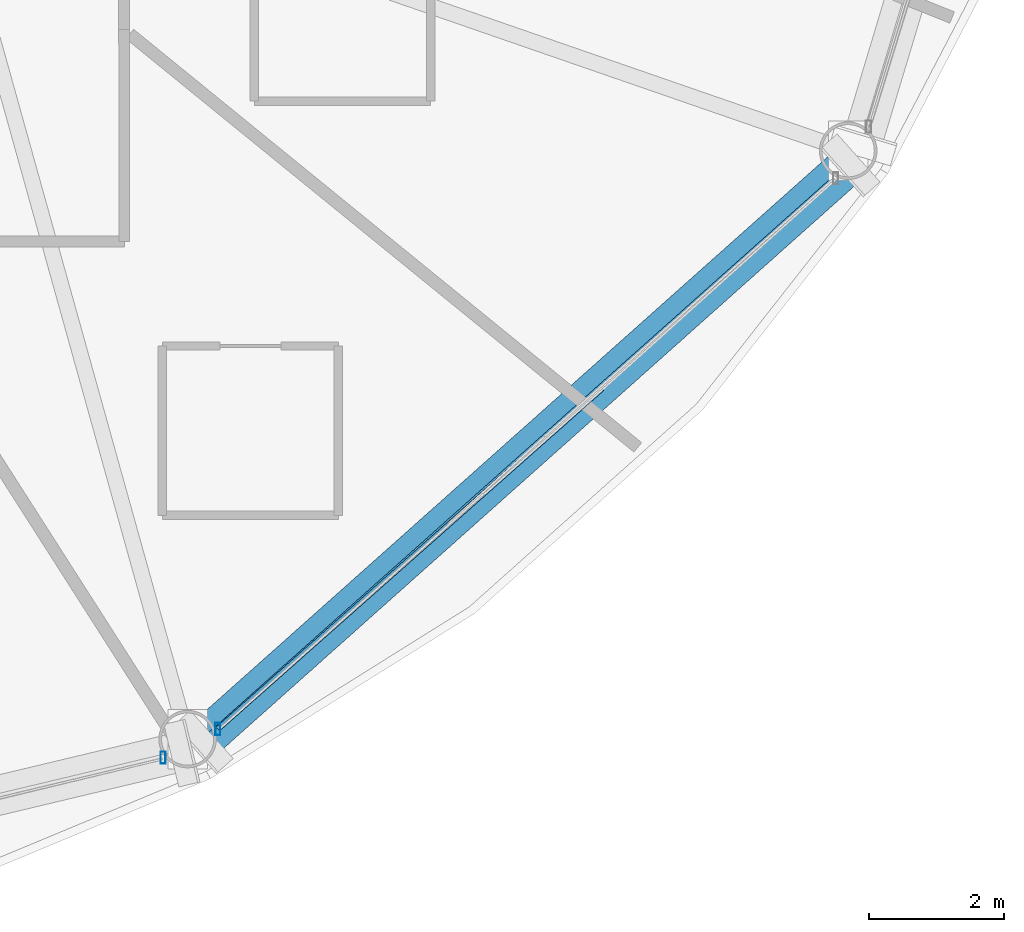
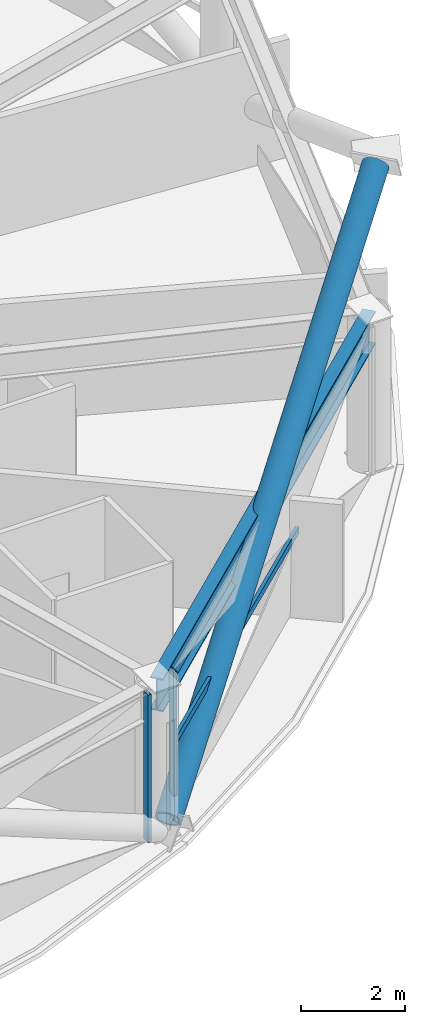
# One storey, part 10 of 31: 4 members, 1 beam, 2 elements without a shape of their own.
"""IFC4 building model written with IfcOpenShell, lengths in metres."""

from ifc_helpers import new_model, si_unit, direction, frame, origin, origin_2d, place, context, subcontext, project, spatial, hollow_rectangle, hollow_circle, i_section, extrude, material, layer, layer_set, material_profile, profile_set, type_object, element, aggregate, save


model = new_model("IFC4")

# Units and contexts
model_context = context("Model", 3, precision=1e-05, world=origin(), true_north=direction((0.0, 1.0)))
body_context = subcontext(model_context, "Body", "Model", "MODEL_VIEW")
ifc_project = project(units=[si_unit("LENGTHUNIT", "METRE"), si_unit("AREAUNIT", "SQUARE_METRE"), si_unit("VOLUMEUNIT", "CUBIC_METRE"), si_unit("PLANEANGLEUNIT", "RADIAN"), si_unit("MASSUNIT", "GRAM", prefix="KILO")], contexts=[model_context])

# Site, building, storey
site_placement = place(None, origin())
site = spatial("IfcSite", under=ifc_project, at=site_placement, CompositionType="ELEMENT")
building_placement = place(site_placement, origin())
building = spatial("IfcBuilding", under=site, at=building_placement, Name="Vantalir Tower", CompositionType="ELEMENT")
storey_placement = place(building_placement, frame((0.0, 0.0, 42.0)))
storey = spatial("IfcBuildingStorey", under=building, at=storey_placement, Name="L09", CompositionType="ELEMENT", Elevation=42.0)

# Beam
ifc_material_1 = material(Name="Steel S460", Category="steel")
ifc_material_profile_1 = material_profile(ifc_material_1, i_section(OverallWidth=0.26806640625, OverallDepth=0.77001953125, WebThickness=0.015625, FlangeThickness=0.025390625, at=origin_2d()), Name="Steel S460")
ifc_profile_set_1 = profile_set([ifc_material_profile_1], Name="Steel S460")
beam_type = type_object("IfcBeamType", Name="BM-RG-762x267", PredefinedType="USERDEFINED", material=ifc_profile_set_1)
beam_placement = place(storey_placement, frame((44.820068359375, 4.452880859375, 3.18505859375), z_axis=(0.746746630555, 0.665108615005, 0.0), x_axis=(-0.665108615005, 0.746746630555, 0.0)))
element("IfcBeam", 1, at=beam_placement, inside=storey, type_object=beam_type, Name="L09 Circumferential Ring Girder 11", ObjectType="GIRDER", PredefinedType="USERDEFINED", context=body_context, shape_type="SweptSolid", body=[
    extrude(i_section(OverallWidth=0.26806640625, OverallDepth=0.77001953125, WebThickness=0.015625, FlangeThickness=0.025390625, at=origin_2d()), origin(), (0.0, 0.0, 1.0), 13.056640625),
])

# Curtain wall, member
ifc_material_2 = material(Name="Champagne-silver PVDF aluminium and double-silver Low-E glass", Category="aluminium")
ifc_layer = layer(ifc_material_2, 0.18994140625)
ifc_layer_set = layer_set([ifc_layer], Name="Champagne-silver PVDF aluminium and double-silver Low-E glass")
curtain_wall_type = type_object("IfcCurtainWallType", Name="CW-DIAMOND-Z1", PredefinedType="USERDEFINED", material=ifc_layer_set)
curtain_wall_1_placement = place(storey_placement, origin())
curtain_wall_1 = element("IfcCurtainWall", 2, at=curtain_wall_1_placement, inside=storey, type_object=curtain_wall_type, Name="L09 Quilted Pyramid-Diamond Curtain Wall S10", ObjectType="UNITISED CURTAIN WALL", PredefinedType="USERDEFINED")
ifc_material_3 = material(Name="Champagne-silver PVDF aluminium 6063-T6", Category="aluminium")
ifc_material_profile_2 = material_profile(ifc_material_3, hollow_rectangle(XDim=0.074951171875, YDim=0.179931640625, WallThickness=0.00390625, at=origin_2d()), Name="Champagne-silver PVDF aluminium 6063-T6")
ifc_profile_set_2 = profile_set([ifc_material_profile_2], Name="Champagne-silver PVDF aluminium 6063-T6")
member_type_1 = type_object("IfcMemberType", Name="CWM-180x75", PredefinedType="MULLION", material=ifc_profile_set_2)
member_1_placement = place(storey_placement, frame((44.4580078125, 4.178955078125, 0.044921875), z_axis=(0.0, 0.0, 1.0), x_axis=(1.0, 0.0, 0.0)))
member_1 = element("IfcMember", 3, at=member_1_placement, type_object=member_type_1, Name="CW-L09-S10 Mullion 2", PredefinedType="MULLION", context=body_context, shape_type="SweptSolid", body=[
    extrude(hollow_rectangle(XDim=0.074951171875, YDim=0.179931640625, WallThickness=0.00390625, at=origin_2d()), origin(), (0.0, 0.0, 1.0), 3.47998046875),
])
aggregate(curtain_wall_1, [member_1])

# Curtain wall, members
curtain_wall_2_placement = place(storey_placement, origin())
curtain_wall_2 = element("IfcCurtainWall", 4, at=curtain_wall_2_placement, inside=storey, type_object=curtain_wall_type, Name="L09 Quilted Pyramid-Diamond Curtain Wall S11", ObjectType="UNITISED CURTAIN WALL", PredefinedType="USERDEFINED")
member_2_placement = place(storey_placement, frame((45.26611328125, 4.60107421875, 0.044921875), z_axis=(0.0, 0.0, 1.0), x_axis=(1.0, 0.0, 0.0)))
member_2 = element("IfcMember", 5, at=member_2_placement, type_object=member_type_1, Name="CW-L09-S11 Mullion 1", PredefinedType="MULLION", context=body_context, shape_type="SweptSolid", body=[
    extrude(hollow_rectangle(XDim=0.074951171875, YDim=0.179931640625, WallThickness=0.00390625, at=origin_2d()), origin(), (0.0, 0.0, 1.0), 3.47998046875),
])
ifc_material_profile_3 = material_profile(ifc_material_3, hollow_rectangle(XDim=0.074951171875, YDim=0.159912109375, WallThickness=0.00390625, at=origin_2d()), Name="Champagne-silver PVDF aluminium 6063-T6")
ifc_profile_set_3 = profile_set([ifc_material_profile_3], Name="Champagne-silver PVDF aluminium 6063-T6")
member_type_2 = type_object("IfcMemberType", Name="CWT-160x75", PredefinedType="USERDEFINED", material=ifc_profile_set_3)
member_3_placement = place(storey_placement, frame((45.26611328125, 4.60107421875, 1.784912109375), z_axis=(0.748506846425, 0.663127062376, 0.0), x_axis=(-0.663127062376, 0.748506846425, 0.0)))
member_3 = element("IfcMember", 6, at=member_3_placement, type_object=member_type_2, Name="CW-L09-S11 Pyramid Fold Ridge Transom", ObjectType="TRANSOM", PredefinedType="USERDEFINED", context=body_context, shape_type="SweptSolid", body=[
    extrude(hollow_rectangle(XDim=0.074951171875, YDim=0.159912109375, WallThickness=0.00390625, at=origin_2d()), origin(), (0.0, 0.0, 1.0), 7.57763671875),
])
aggregate(curtain_wall_2, [member_2, member_3])

# Member
ifc_material_profile_4 = material_profile(ifc_material_1, hollow_circle(Radius=0.27001953125, WallThickness=0.044921875, at=origin_2d()), Name="Steel S460")
ifc_profile_set_4 = profile_set([ifc_material_profile_4], Name="Steel S460")
member_type_3 = type_object("IfcMemberType", Name="MEM-DB-540x45", PredefinedType="BRACE", material=ifc_profile_set_4)
member_4_placement = place(storey_placement, frame((45.05908203125, 4.4169921875, 0.18505859375), z_axis=(0.655674281331, 0.58441884564, 0.478064691921), x_axis=(-0.665379095264, 0.746505632655, 0.0)))
element("IfcMember", 7, at=member_4_placement, inside=storey, type_object=member_type_3, Name="L09 Perimeter S460 Diagrid Brace R31L", PredefinedType="BRACE", context=body_context, shape_type="SweptSolid", body=[
    extrude(hollow_circle(Radius=0.27001953125, WallThickness=0.044921875, at=origin_2d()), origin(), (0.0, 0.0, 1.0), 14.53759765625),
])

save(model, "model.ifc")
